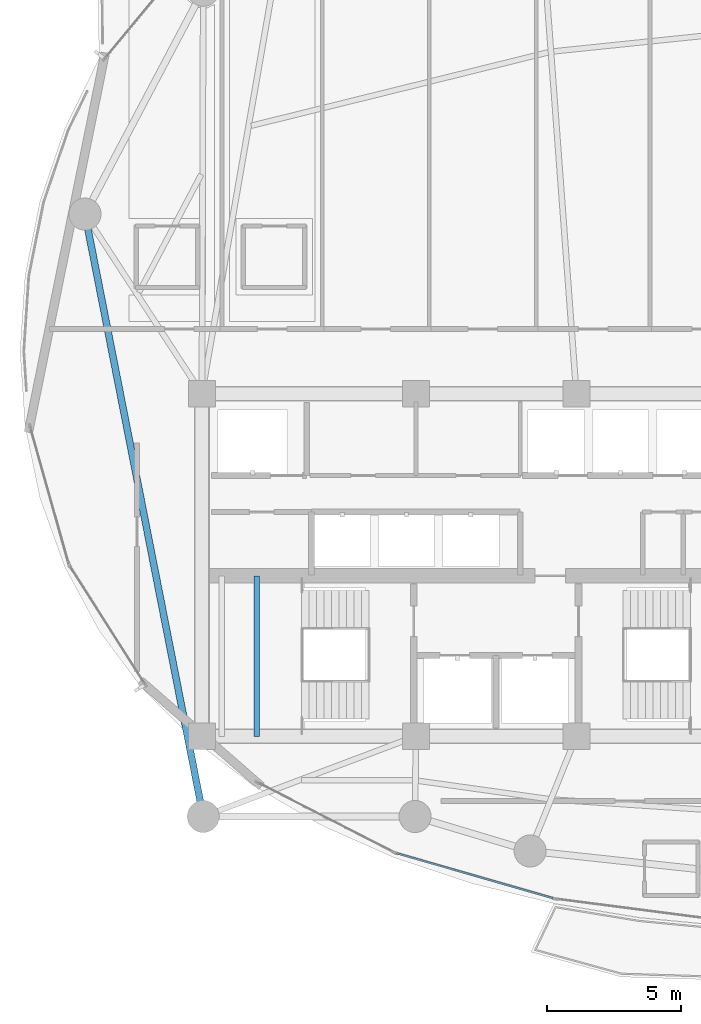
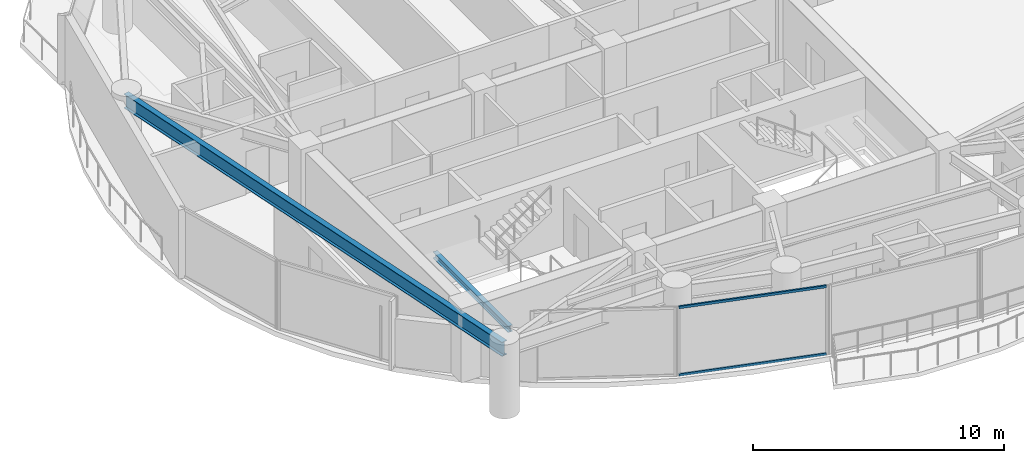
# One storey, part 4 of 28: 2 beams, 2 members, 1 element without a shape of its own.
"""IFC4 building model written with IfcOpenShell, lengths in metres."""

from ifc_helpers import new_model, si_unit, direction, frame, origin, origin_2d, place, context, subcontext, project, spatial, hollow_rectangle, i_section, extrude, material, layer, layer_set, material_profile, profile_set, type_object, element, aggregate, save


model = new_model("IFC4")

# Units and contexts
model_context = context("Model", 3, precision=1e-05, world=origin(), true_north=direction((0.0, 1.0)))
body_context = subcontext(model_context, "Body", "Model", "MODEL_VIEW")
ifc_project = project(units=[si_unit("LENGTHUNIT", "METRE"), si_unit("AREAUNIT", "SQUARE_METRE"), si_unit("VOLUMEUNIT", "CUBIC_METRE"), si_unit("PLANEANGLEUNIT", "RADIAN"), si_unit("MASSUNIT", "GRAM", prefix="KILO")], contexts=[model_context])

# Site, building, storey
site_placement = place(None, origin())
site = spatial("IfcSite", under=ifc_project, at=site_placement, CompositionType="ELEMENT")
building_placement = place(site_placement, origin())
building = spatial("IfcBuilding", under=site, at=building_placement, Name="Kazevale Care Tower and Concert Hall", CompositionType="ELEMENT")
storey_placement = place(building_placement, frame((0.0, 0.0, 138.60009765625)))
storey = spatial("IfcBuildingStorey", under=building, at=storey_placement, Name="L36", CompositionType="ELEMENT", Elevation=138.60009765625)

# Curtain wall, members
ifc_material_1 = material(Name="Aluminium 6063-T6 and Low-E Glass", Category="aluminium")
ifc_layer = layer(ifc_material_1, 0.179931640625)
ifc_layer_set = layer_set([ifc_layer], Name="Aluminium 6063-T6 and Low-E Glass")
curtain_wall_type = type_object("IfcCurtainWallType", Name="Sheltered Concave Balcony Curtain Wall CW-5", PredefinedType="NOTDEFINED", material=ifc_layer_set)
curtain_wall_placement = place(storey_placement, origin())
curtain_wall = element("IfcCurtainWall", 1, at=curtain_wall_placement, inside=storey, type_object=curtain_wall_type, Name="cw:L36:f08", PredefinedType="NOTDEFINED")
ifc_material_2 = material(Name="Aluminium 6063-T6", Category="aluminium")
ifc_material_profile_1 = material_profile(ifc_material_2, hollow_rectangle(XDim=0.074951171875, YDim=0.1201171875, WallThickness=0.00390625, at=origin_2d()), Name="ALU75x120x4")
ifc_profile_set_1 = profile_set([ifc_material_profile_1], Name="Aluminium 6063-T6")
member_type = type_object("IfcMemberType", Name="CW-5 Transom ALU75x120x4", PredefinedType="USERDEFINED", material=ifc_profile_set_1)
member_1_placement = place(storey_placement, frame((35.121826171875, 17.545654296875, 0.037353515625), z_axis=(-0.961067703236, 0.276312992451, 0.0), x_axis=(-0.276312992451, -0.961067703236, 0.0)))
member_1 = element("IfcMember", 2, at=member_1_placement, type_object=member_type, Name="CW-5 transom 1.1", ObjectType="TRANSOM", PredefinedType="USERDEFINED", context=body_context, shape_type="SweptSolid", body=[
    extrude(hollow_rectangle(XDim=0.074951171875, YDim=0.1201171875, WallThickness=0.00390625, at=origin_2d()), origin(), (0.0, 0.0, 1.0), 6.075439453125),
])
member_2_placement = place(storey_placement, frame((35.121826171875, 17.545654296875, 3.322509765625), z_axis=(-0.961067703236, 0.276312992451, 0.0), x_axis=(-0.276312992451, -0.961067703236, 0.0)))
member_2 = element("IfcMember", 3, at=member_2_placement, type_object=member_type, Name="CW-5 transom 1.2", ObjectType="TRANSOM", PredefinedType="USERDEFINED", context=body_context, shape_type="SweptSolid", body=[
    extrude(hollow_rectangle(XDim=0.074951171875, YDim=0.1201171875, WallThickness=0.00390625, at=origin_2d()), origin(), (0.0, 0.0, 1.0), 6.075439453125),
])
aggregate(curtain_wall, [member_1, member_2])

# Beams
ifc_material_3 = material(Name="Steel ASTM A572 Gr 50", Category="steel")
ifc_material_profile_2 = material_profile(ifc_material_3, i_section(OverallWidth=0.202880859375, OverallDepth=0.302978515625, WebThickness=0.007568359375, FlangeThickness=0.01318359375, at=origin_2d()), Name="W310x60")
ifc_profile_set_2 = profile_set([ifc_material_profile_2], Name="Steel ASTM A572 Gr 50")
beam_type_1 = type_object("IfcBeamType", Name="Stair & Balcony Trimmer W310x60", PredefinedType="BEAM", material=ifc_profile_set_2)
beam_1_placement = place(storey_placement, frame((24.050048828125, 23.60009765625, 1.448486328125), z_axis=(0.0, 1.0, 0.0), x_axis=(-1.0, 0.0, 0.0)))
element("IfcBeam", 4, at=beam_1_placement, inside=storey, type_object=beam_type_1, Name="beam:L36:sttrim:ST1b", PredefinedType="BEAM", context=body_context, shape_type="SweptSolid", body=[
    extrude(i_section(OverallWidth=0.202880859375, OverallDepth=0.302978515625, WebThickness=0.007568359375, FlangeThickness=0.01318359375, at=origin_2d()), origin(), (0.0, 0.0, 1.0), 6.0),
])
ifc_material_profile_3 = material_profile(ifc_material_3, i_section(OverallWidth=0.256103515625, OverallDepth=0.693115234375, WebThickness=0.014404296875, FlangeThickness=0.023681640625, at=origin_2d()), Name="W690x170")
ifc_profile_set_3 = profile_set([ifc_material_profile_3], Name="Steel ASTM A572 Gr 50")
beam_type_2 = type_object("IfcBeamType", Name="Waist Ring Beam W690x170", PredefinedType="BEAM", material=ifc_profile_set_3)
beam_2_placement = place(storey_placement, frame((17.6298828125, 43.1201171875, 3.013427734375), z_axis=(0.192602267784, -0.9812769061, 0.0), x_axis=(0.9812769061, 0.192602267784, 0.0)))
element("IfcBeam", 5, at=beam_2_placement, inside=storey, type_object=beam_type_2, Name="beam:L36:ring:09", PredefinedType="BEAM", context=body_context, shape_type="SweptSolid", body=[
    extrude(i_section(OverallWidth=0.256103515625, OverallDepth=0.693115234375, WebThickness=0.014404296875, FlangeThickness=0.023681640625, at=origin_2d()), origin(), (0.0, 0.0, 1.0), 22.94970703125),
])

save(model, "model.ifc")
